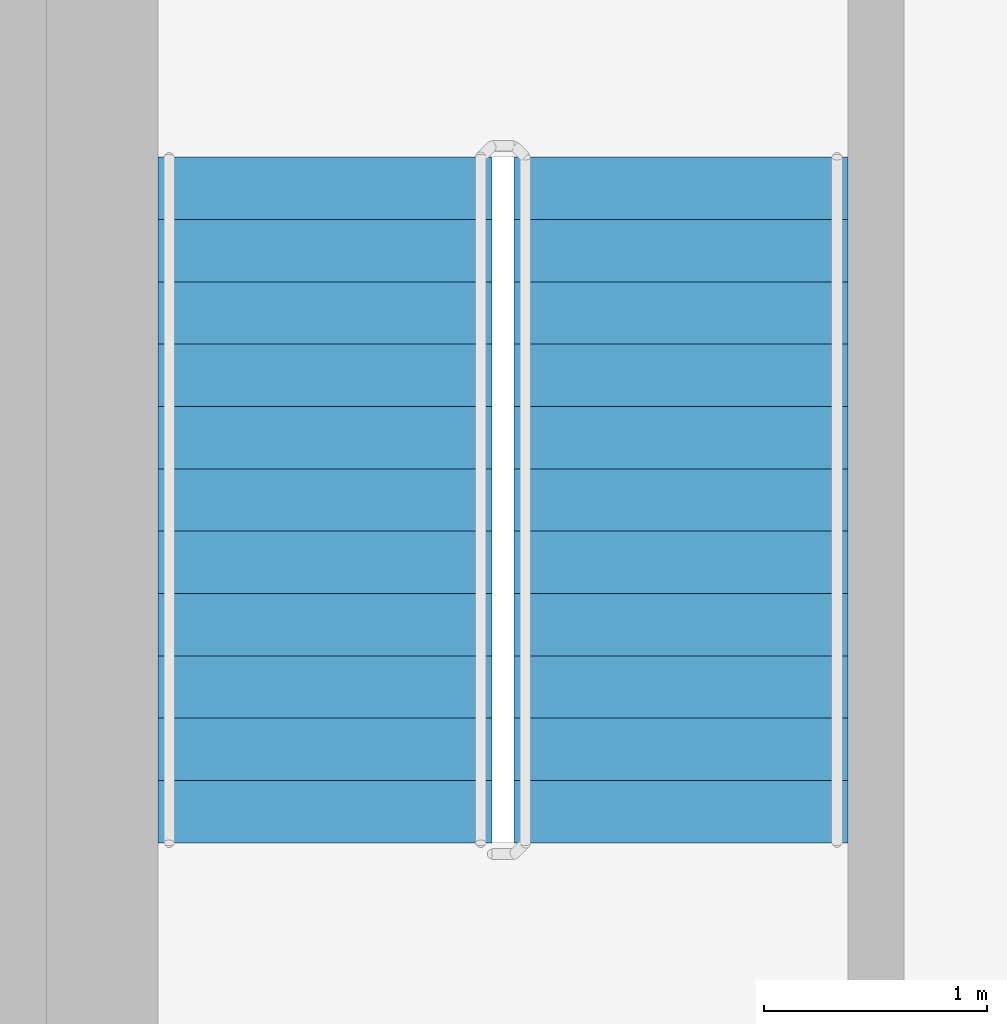
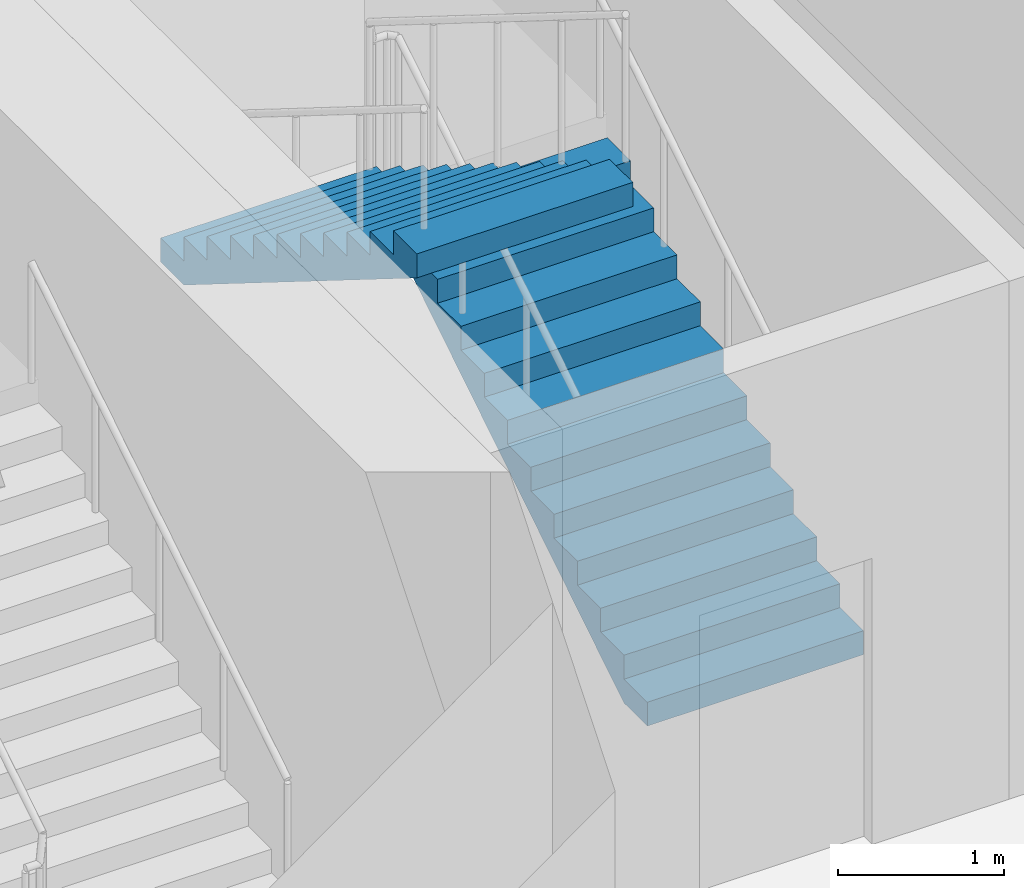
# One storey, part 6 of 9: 2 stair flights, 1 element without a shape of its own.
"""IFC4 building model written with IfcOpenShell, lengths in metres."""

from ifc_helpers import new_model, si_unit, direction, frame, origin, place, context, subcontext, project, spatial, triangles, source, transform, mapped, material, type_object, element, aggregate, save


model = new_model("IFC4")

# Units and contexts
model_context = context("Model", 3, precision=1e-05, world=origin(), true_north=direction((0.0, 1.0)))
body_context = subcontext(model_context, "Body", "Model", "MODEL_VIEW")
ifc_project = project(units=[si_unit("LENGTHUNIT", "METRE"), si_unit("AREAUNIT", "SQUARE_METRE"), si_unit("VOLUMEUNIT", "CUBIC_METRE"), si_unit("PLANEANGLEUNIT", "RADIAN"), si_unit("MASSUNIT", "GRAM", prefix="KILO")], contexts=[model_context])

# Site, building, storey
site_placement = place(None, origin())
site = spatial("IfcSite", under=ifc_project, at=site_placement, CompositionType="ELEMENT")
building_placement = place(site_placement, origin())
building = spatial("IfcBuilding", under=site, at=building_placement, Name="Kilnfold Tower and Market Hall", CompositionType="ELEMENT")
storey_placement = place(building_placement, frame((0.0, 0.0, 195.699951171875)))
storey = spatial("IfcBuildingStorey", under=building, at=storey_placement, Name="L47 Plant Transfer Level", CompositionType="ELEMENT", Elevation=195.699951171875)

# Stair, stair flights
ifc_material_1 = material(Name="Concrete C40/50", Category="concrete")
stair_type = type_object("IfcStairType", Name="CORE STAIR 1500", PredefinedType="HALF_TURN_STAIR", material=ifc_material_1)
stair_placement = place(storey_placement, origin())
stair = element("IfcStair", 1, at=stair_placement, inside=storey, type_object=stair_type, Name="L47 Plant Transfer Level ST5", PredefinedType="HALF_TURN_STAIR")
ifc_material_2 = material(Name="Concrete C40/50", Category="concrete")
stair_flight_type = type_object("IfcStairFlightType", Name="CORE STAIR FLIGHT 1500", PredefinedType="STRAIGHT", material=ifc_material_2)
shared_shape = source(origin(), body_context, "Body", "Tessellation", [
    triangles([(0.0, 0.75, 0.0), (0.0, 0.65625, 0.0), (0.0, 0.5625, 0.0), (0.0, 0.46875, 0.0), (0.0, 0.375, 0.0), (0.0, 0.28125, 0.0), (0.0, 0.1875, 0.0), (0.0, 0.09375, 0.0), (0.0, 0.0, 0.0), (0.0, -0.09375, 0.0), (0.0, -0.1875, 0.0), (0.0, -0.28125, 0.0), (0.0, -0.375, 0.0), (0.0, -0.46875, 0.0), (0.0, -0.5625, 0.0), (0.0, -0.65625, 0.0), (0.0, -0.75, 0.0), (0.0, 0.75, 0.175048828125), (0.0, 0.65625, 0.175048828125), (0.0, 0.5625, 0.175048828125), (0.0, 0.46875, 0.175048828125), (0.0, 0.375, 0.175048828125), (0.0, 0.28125, 0.175048828125), (0.0, 0.1875, 0.175048828125), (0.0, 0.09375, 0.175048828125), (0.0, 0.0, 0.175048828125), (0.0, -0.09375, 0.175048828125), (0.0, -0.1875, 0.175048828125), (0.0, -0.28125, 0.175048828125), (0.0, -0.375, 0.175048828125), (0.0, -0.46875, 0.175048828125), (0.0, -0.5625, 0.175048828125), (0.0, -0.65625, 0.175048828125), (0.0, -0.75, 0.175048828125), (0.280029296875, 0.75, 0.175048828125), (0.280029296875, 0.65625, 0.175048828125), (0.280029296875, 0.5625, 0.175048828125), (0.280029296875, 0.46875, 0.175048828125), (0.280029296875, 0.375, 0.175048828125), (0.280029296875, 0.28125, 0.175048828125), (0.280029296875, 0.1875, 0.175048828125), (0.280029296875, 0.09375, 0.175048828125), (0.280029296875, 0.0, 0.175048828125), (0.280029296875, -0.09375, 0.175048828125), (0.280029296875, -0.1875, 0.175048828125), (0.280029296875, -0.28125, 0.175048828125), (0.280029296875, -0.375, 0.175048828125), (0.280029296875, -0.46875, 0.175048828125), (0.280029296875, -0.5625, 0.175048828125), (0.280029296875, -0.65625, 0.175048828125), (0.280029296875, -0.75, 0.175048828125), (0.280029296875, 0.75, 0.35009765625), (0.280029296875, 0.65625, 0.35009765625), (0.280029296875, 0.5625, 0.35009765625), (0.280029296875, 0.46875, 0.35009765625), (0.280029296875, 0.375, 0.35009765625), (0.280029296875, 0.28125, 0.35009765625), (0.280029296875, 0.1875, 0.35009765625), (0.280029296875, 0.09375, 0.35009765625), (0.280029296875, 0.0, 0.35009765625), (0.280029296875, -0.09375, 0.35009765625), (0.280029296875, -0.1875, 0.35009765625), (0.280029296875, -0.28125, 0.35009765625), (0.280029296875, -0.375, 0.35009765625), (0.280029296875, -0.46875, 0.35009765625), (0.280029296875, -0.5625, 0.35009765625), (0.280029296875, -0.65625, 0.35009765625), (0.280029296875, -0.75, 0.35009765625), (0.56005859375, 0.75, 0.35009765625), (0.56005859375, 0.65625, 0.35009765625), (0.56005859375, 0.5625, 0.35009765625), (0.56005859375, 0.46875, 0.35009765625), (0.56005859375, 0.375, 0.35009765625), (0.56005859375, 0.28125, 0.35009765625), (0.56005859375, 0.1875, 0.35009765625), (0.56005859375, 0.09375, 0.35009765625), (0.56005859375, 0.0, 0.35009765625), (0.56005859375, -0.09375, 0.35009765625), (0.56005859375, -0.1875, 0.35009765625), (0.56005859375, -0.28125, 0.35009765625), (0.56005859375, -0.375, 0.35009765625), (0.56005859375, -0.46875, 0.35009765625), (0.56005859375, -0.5625, 0.35009765625), (0.56005859375, -0.65625, 0.35009765625), (0.56005859375, -0.75, 0.35009765625), (0.56005859375, 0.75, 0.52490234375), (0.56005859375, 0.65625, 0.52490234375), (0.56005859375, 0.5625, 0.52490234375), (0.56005859375, 0.46875, 0.52490234375), (0.56005859375, 0.375, 0.52490234375), (0.56005859375, 0.28125, 0.52490234375), (0.56005859375, 0.1875, 0.52490234375), (0.56005859375, 0.09375, 0.52490234375), (0.56005859375, 0.0, 0.52490234375), (0.56005859375, -0.09375, 0.52490234375), (0.56005859375, -0.1875, 0.52490234375), (0.56005859375, -0.28125, 0.52490234375), (0.56005859375, -0.375, 0.52490234375), (0.56005859375, -0.46875, 0.52490234375), (0.56005859375, -0.5625, 0.52490234375), (0.56005859375, -0.65625, 0.52490234375), (0.56005859375, -0.75, 0.52490234375), (0.840087890625, 0.75, 0.52490234375), (0.840087890625, 0.65625, 0.52490234375), (0.840087890625, 0.5625, 0.52490234375), (0.840087890625, 0.46875, 0.52490234375), (0.840087890625, 0.375, 0.52490234375), (0.840087890625, 0.28125, 0.52490234375), (0.840087890625, 0.1875, 0.52490234375), (0.840087890625, 0.09375, 0.52490234375), (0.840087890625, 0.0, 0.52490234375), (0.840087890625, -0.09375, 0.52490234375), (0.840087890625, -0.1875, 0.52490234375), (0.840087890625, -0.28125, 0.52490234375), (0.840087890625, -0.375, 0.52490234375), (0.840087890625, -0.46875, 0.52490234375), (0.840087890625, -0.5625, 0.52490234375), (0.840087890625, -0.65625, 0.52490234375), (0.840087890625, -0.75, 0.52490234375), (0.840087890625, 0.75, 0.699951171875), (0.840087890625, 0.65625, 0.699951171875), (0.840087890625, 0.5625, 0.699951171875), (0.840087890625, 0.46875, 0.699951171875), (0.840087890625, 0.375, 0.699951171875), (0.840087890625, 0.28125, 0.699951171875), (0.840087890625, 0.1875, 0.699951171875), (0.840087890625, 0.09375, 0.699951171875), (0.840087890625, 0.0, 0.699951171875), (0.840087890625, -0.09375, 0.699951171875), (0.840087890625, -0.1875, 0.699951171875), (0.840087890625, -0.28125, 0.699951171875), (0.840087890625, -0.375, 0.699951171875), (0.840087890625, -0.46875, 0.699951171875), (0.840087890625, -0.5625, 0.699951171875), (0.840087890625, -0.65625, 0.699951171875), (0.840087890625, -0.75, 0.699951171875), (1.1201171875, 0.75, 0.699951171875), (1.1201171875, 0.65625, 0.699951171875), (1.1201171875, 0.5625, 0.699951171875), (1.1201171875, 0.46875, 0.699951171875), (1.1201171875, 0.375, 0.699951171875), (1.1201171875, 0.28125, 0.699951171875), (1.1201171875, 0.1875, 0.699951171875), (1.1201171875, 0.09375, 0.699951171875), (1.1201171875, 0.0, 0.699951171875), (1.1201171875, -0.09375, 0.699951171875), (1.1201171875, -0.1875, 0.699951171875), (1.1201171875, -0.28125, 0.699951171875), (1.1201171875, -0.375, 0.699951171875), (1.1201171875, -0.46875, 0.699951171875), (1.1201171875, -0.5625, 0.699951171875), (1.1201171875, -0.65625, 0.699951171875), (1.1201171875, -0.75, 0.699951171875), (1.1201171875, 0.75, 0.875), (1.1201171875, 0.65625, 0.875), (1.1201171875, 0.5625, 0.875), (1.1201171875, 0.46875, 0.875), (1.1201171875, 0.375, 0.875), (1.1201171875, 0.28125, 0.875), (1.1201171875, 0.1875, 0.875), (1.1201171875, 0.09375, 0.875), (1.1201171875, 0.0, 0.875), (1.1201171875, -0.09375, 0.875), (1.1201171875, -0.1875, 0.875), (1.1201171875, -0.28125, 0.875), (1.1201171875, -0.375, 0.875), (1.1201171875, -0.46875, 0.875), (1.1201171875, -0.5625, 0.875), (1.1201171875, -0.65625, 0.875), (1.1201171875, -0.75, 0.875), (1.39990234375, 0.75, 0.875), (1.39990234375, 0.65625, 0.875), (1.39990234375, 0.5625, 0.875), (1.39990234375, 0.46875, 0.875), (1.39990234375, 0.375, 0.875), (1.39990234375, 0.28125, 0.875), (1.39990234375, 0.1875, 0.875), (1.39990234375, 0.09375, 0.875), (1.39990234375, 0.0, 0.875), (1.39990234375, -0.09375, 0.875), (1.39990234375, -0.1875, 0.875), (1.39990234375, -0.28125, 0.875), (1.39990234375, -0.375, 0.875), (1.39990234375, -0.46875, 0.875), (1.39990234375, -0.5625, 0.875), (1.39990234375, -0.65625, 0.875), (1.39990234375, -0.75, 0.875), (1.39990234375, 0.75, 1.050048828125), (1.39990234375, 0.65625, 1.050048828125), (1.39990234375, 0.5625, 1.050048828125), (1.39990234375, 0.46875, 1.050048828125), (1.39990234375, 0.375, 1.050048828125), (1.39990234375, 0.28125, 1.050048828125), (1.39990234375, 0.1875, 1.050048828125), (1.39990234375, 0.09375, 1.050048828125), (1.39990234375, 0.0, 1.050048828125), (1.39990234375, -0.09375, 1.050048828125), (1.39990234375, -0.1875, 1.050048828125), (1.39990234375, -0.28125, 1.050048828125), (1.39990234375, -0.375, 1.050048828125), (1.39990234375, -0.46875, 1.050048828125), (1.39990234375, -0.5625, 1.050048828125), (1.39990234375, -0.65625, 1.050048828125), (1.39990234375, -0.75, 1.050048828125), (1.679931640625, 0.75, 1.050048828125), (1.679931640625, 0.65625, 1.050048828125), (1.679931640625, 0.5625, 1.050048828125), (1.679931640625, 0.46875, 1.050048828125), (1.679931640625, 0.375, 1.050048828125), (1.679931640625, 0.28125, 1.050048828125), (1.679931640625, 0.1875, 1.050048828125), (1.679931640625, 0.09375, 1.050048828125), (1.679931640625, 0.0, 1.050048828125), (1.679931640625, -0.09375, 1.050048828125), (1.679931640625, -0.1875, 1.050048828125), (1.679931640625, -0.28125, 1.050048828125), (1.679931640625, -0.375, 1.050048828125), (1.679931640625, -0.46875, 1.050048828125), (1.679931640625, -0.5625, 1.050048828125), (1.679931640625, -0.65625, 1.050048828125), (1.679931640625, -0.75, 1.050048828125), (1.679931640625, 0.75, 1.22509765625), (1.679931640625, 0.65625, 1.22509765625), (1.679931640625, 0.5625, 1.22509765625), (1.679931640625, 0.46875, 1.22509765625), (1.679931640625, 0.375, 1.22509765625), (1.679931640625, 0.28125, 1.22509765625), (1.679931640625, 0.1875, 1.22509765625), (1.679931640625, 0.09375, 1.22509765625), (1.679931640625, 0.0, 1.22509765625), (1.679931640625, -0.09375, 1.22509765625), (1.679931640625, -0.1875, 1.22509765625), (1.679931640625, -0.28125, 1.22509765625), (1.679931640625, -0.375, 1.22509765625), (1.679931640625, -0.46875, 1.22509765625), (1.679931640625, -0.5625, 1.22509765625), (1.679931640625, -0.65625, 1.22509765625), (1.679931640625, -0.75, 1.22509765625), (1.9599609375, 0.75, 1.22509765625), (1.9599609375, 0.65625, 1.22509765625), (1.9599609375, 0.5625, 1.22509765625), (1.9599609375, 0.46875, 1.22509765625), (1.9599609375, 0.375, 1.22509765625), (1.9599609375, 0.28125, 1.22509765625), (1.9599609375, 0.1875, 1.22509765625), (1.9599609375, 0.09375, 1.22509765625), (1.9599609375, 0.0, 1.22509765625), (1.9599609375, -0.09375, 1.22509765625), (1.9599609375, -0.1875, 1.22509765625), (1.9599609375, -0.28125, 1.22509765625), (1.9599609375, -0.375, 1.22509765625), (1.9599609375, -0.46875, 1.22509765625), (1.9599609375, -0.5625, 1.22509765625), (1.9599609375, -0.65625, 1.22509765625), (1.9599609375, -0.75, 1.22509765625), (1.9599609375, 0.75, 1.39990234375), (1.9599609375, 0.65625, 1.39990234375), (1.9599609375, 0.5625, 1.39990234375), (1.9599609375, 0.46875, 1.39990234375), (1.9599609375, 0.375, 1.39990234375), (1.9599609375, 0.28125, 1.39990234375), (1.9599609375, 0.1875, 1.39990234375), (1.9599609375, 0.09375, 1.39990234375), (1.9599609375, 0.0, 1.39990234375), (1.9599609375, -0.09375, 1.39990234375), (1.9599609375, -0.1875, 1.39990234375), (1.9599609375, -0.28125, 1.39990234375), (1.9599609375, -0.375, 1.39990234375), (1.9599609375, -0.46875, 1.39990234375), (1.9599609375, -0.5625, 1.39990234375), (1.9599609375, -0.65625, 1.39990234375), (1.9599609375, -0.75, 1.39990234375), (2.239990234375, 0.75, 1.39990234375), (2.239990234375, 0.65625, 1.39990234375), (2.239990234375, 0.5625, 1.39990234375), (2.239990234375, 0.46875, 1.39990234375), (2.239990234375, 0.375, 1.39990234375), (2.239990234375, 0.28125, 1.39990234375), (2.239990234375, 0.1875, 1.39990234375), (2.239990234375, 0.09375, 1.39990234375), (2.239990234375, 0.0, 1.39990234375), (2.239990234375, -0.09375, 1.39990234375), (2.239990234375, -0.1875, 1.39990234375), (2.239990234375, -0.28125, 1.39990234375), (2.239990234375, -0.375, 1.39990234375), (2.239990234375, -0.46875, 1.39990234375), (2.239990234375, -0.5625, 1.39990234375), (2.239990234375, -0.65625, 1.39990234375), (2.239990234375, -0.75, 1.39990234375), (2.239990234375, 0.75, 1.574951171875), (2.239990234375, 0.65625, 1.574951171875), (2.239990234375, 0.5625, 1.574951171875), (2.239990234375, 0.46875, 1.574951171875), (2.239990234375, 0.375, 1.574951171875), (2.239990234375, 0.28125, 1.574951171875), (2.239990234375, 0.1875, 1.574951171875), (2.239990234375, 0.09375, 1.574951171875), (2.239990234375, 0.0, 1.574951171875), (2.239990234375, -0.09375, 1.574951171875), (2.239990234375, -0.1875, 1.574951171875), (2.239990234375, -0.28125, 1.574951171875), (2.239990234375, -0.375, 1.574951171875), (2.239990234375, -0.46875, 1.574951171875), (2.239990234375, -0.5625, 1.574951171875), (2.239990234375, -0.65625, 1.574951171875), (2.239990234375, -0.75, 1.574951171875), (2.52001953125, 0.75, 1.574951171875), (2.52001953125, 0.65625, 1.574951171875), (2.52001953125, 0.5625, 1.574951171875), (2.52001953125, 0.46875, 1.574951171875), (2.52001953125, 0.375, 1.574951171875), (2.52001953125, 0.28125, 1.574951171875), (2.52001953125, 0.1875, 1.574951171875), (2.52001953125, 0.09375, 1.574951171875), (2.52001953125, 0.0, 1.574951171875), (2.52001953125, -0.09375, 1.574951171875), (2.52001953125, -0.1875, 1.574951171875), (2.52001953125, -0.28125, 1.574951171875), (2.52001953125, -0.375, 1.574951171875), (2.52001953125, -0.46875, 1.574951171875), (2.52001953125, -0.5625, 1.574951171875), (2.52001953125, -0.65625, 1.574951171875), (2.52001953125, -0.75, 1.574951171875), (2.52001953125, 0.75, 1.75), (2.52001953125, 0.65625, 1.75), (2.52001953125, 0.5625, 1.75), (2.52001953125, 0.46875, 1.75), (2.52001953125, 0.375, 1.75), (2.52001953125, 0.28125, 1.75), (2.52001953125, 0.1875, 1.75), (2.52001953125, 0.09375, 1.75), (2.52001953125, 0.0, 1.75), (2.52001953125, -0.09375, 1.75), (2.52001953125, -0.1875, 1.75), (2.52001953125, -0.28125, 1.75), (2.52001953125, -0.375, 1.75), (2.52001953125, -0.46875, 1.75), (2.52001953125, -0.5625, 1.75), (2.52001953125, -0.65625, 1.75), (2.52001953125, -0.75, 1.75), (2.800048828125, 0.75, 1.75), (2.800048828125, 0.65625, 1.75), (2.800048828125, 0.5625, 1.75), (2.800048828125, 0.46875, 1.75), (2.800048828125, 0.375, 1.75), (2.800048828125, 0.28125, 1.75), (2.800048828125, 0.1875, 1.75), (2.800048828125, 0.09375, 1.75), (2.800048828125, 0.0, 1.75), (2.800048828125, -0.09375, 1.75), (2.800048828125, -0.1875, 1.75), (2.800048828125, -0.28125, 1.75), (2.800048828125, -0.375, 1.75), (2.800048828125, -0.46875, 1.75), (2.800048828125, -0.5625, 1.75), (2.800048828125, -0.65625, 1.75), (2.800048828125, -0.75, 1.75), (2.800048828125, 0.75, 1.925048828125), (2.800048828125, 0.65625, 1.925048828125), (2.800048828125, 0.5625, 1.925048828125), (2.800048828125, 0.46875, 1.925048828125), (2.800048828125, 0.375, 1.925048828125), (2.800048828125, 0.28125, 1.925048828125), (2.800048828125, 0.1875, 1.925048828125), (2.800048828125, 0.09375, 1.925048828125), (2.800048828125, 0.0, 1.925048828125), (2.800048828125, -0.09375, 1.925048828125), (2.800048828125, -0.1875, 1.925048828125), (2.800048828125, -0.28125, 1.925048828125), (2.800048828125, -0.375, 1.925048828125), (2.800048828125, -0.46875, 1.925048828125), (2.800048828125, -0.5625, 1.925048828125), (2.800048828125, -0.65625, 1.925048828125), (2.800048828125, -0.75, 1.925048828125), (3.080078125, 0.75, 1.925048828125), (3.080078125, 0.65625, 1.925048828125), (3.080078125, 0.5625, 1.925048828125), (3.080078125, 0.46875, 1.925048828125), (3.080078125, 0.375, 1.925048828125), (3.080078125, 0.28125, 1.925048828125), (3.080078125, 0.1875, 1.925048828125), (3.080078125, 0.09375, 1.925048828125), (3.080078125, 0.0, 1.925048828125), (3.080078125, -0.09375, 1.925048828125), (3.080078125, -0.1875, 1.925048828125), (3.080078125, -0.28125, 1.925048828125), (3.080078125, -0.375, 1.925048828125), (3.080078125, -0.46875, 1.925048828125), (3.080078125, -0.5625, 1.925048828125), (3.080078125, -0.65625, 1.925048828125), (3.080078125, -0.75, 1.925048828125), (3.080078125, 0.75, 1.748291015625), (3.080078125, 0.65625, 1.748291015625), (3.080078125, 0.5625, 1.748291015625), (3.080078125, 0.46875, 1.748291015625), (3.080078125, 0.375, 1.748291015625), (3.080078125, 0.28125, 1.748291015625), (3.080078125, 0.1875, 1.748291015625), (3.080078125, 0.09375, 1.748291015625), (3.080078125, 0.0, 1.748291015625), (3.080078125, -0.09375, 1.748291015625), (3.080078125, -0.1875, 1.748291015625), (3.080078125, -0.28125, 1.748291015625), (3.080078125, -0.375, 1.748291015625), (3.080078125, -0.46875, 1.748291015625), (3.080078125, -0.5625, 1.748291015625), (3.080078125, -0.65625, 1.748291015625), (3.080078125, -0.75, 1.748291015625), (0.28271484375, 0.75, 0.0), (0.28271484375, 0.65625, 0.0), (0.28271484375, 0.5625, 0.0), (0.28271484375, 0.46875, 0.0), (0.28271484375, 0.375, 0.0), (0.28271484375, 0.28125, 0.0), (0.28271484375, 0.1875, 0.0), (0.28271484375, 0.09375, 0.0), (0.28271484375, 0.0, 0.0), (0.28271484375, -0.09375, 0.0), (0.28271484375, -0.1875, 0.0), (0.28271484375, -0.28125, 0.0), (0.28271484375, -0.375, 0.0), (0.28271484375, -0.46875, 0.0), (0.28271484375, -0.5625, 0.0), (0.28271484375, -0.65625, 0.0), (0.28271484375, -0.75, 0.0)], [[1, 392, 409], [17, 425, 408], [392, 358, 375], [408, 391, 374], [392, 341, 358], [408, 374, 357], [392, 324, 341], [408, 357, 340], [392, 307, 324], [408, 340, 323], [307, 273, 290], [323, 306, 289], [392, 273, 307], [408, 323, 289], [273, 239, 256], [289, 272, 255], [392, 239, 273], [408, 289, 255], [239, 205, 222], [255, 238, 221], [392, 205, 239], [408, 255, 221], [205, 171, 188], [221, 204, 187], [392, 171, 205], [408, 221, 187], [171, 137, 154], [187, 170, 153], [392, 137, 171], [408, 187, 153], [137, 103, 120], [153, 136, 119], [392, 103, 137], [408, 153, 119], [1, 103, 392], [17, 408, 119], [103, 69, 86], [119, 102, 85], [69, 35, 52], [85, 68, 51], [103, 35, 69], [119, 85, 51], [1, 35, 103], [17, 119, 51], [35, 1, 18], [51, 34, 17], [1, 19, 18], [1, 2, 19], [2, 20, 19], [2, 3, 20], [3, 21, 20], [3, 4, 21], [4, 22, 21], [4, 5, 22], [5, 23, 22], [5, 6, 23], [6, 24, 23], [6, 7, 24], [7, 25, 24], [7, 8, 25], [8, 26, 25], [8, 9, 26], [9, 27, 26], [9, 10, 27], [10, 28, 27], [10, 11, 28], [11, 29, 28], [11, 12, 29], [12, 30, 29], [12, 13, 30], [13, 31, 30], [13, 14, 31], [14, 32, 31], [14, 15, 32], [15, 33, 32], [15, 16, 33], [16, 34, 33], [16, 17, 34], [18, 36, 35], [18, 19, 36], [19, 37, 36], [19, 20, 37], [20, 38, 37], [20, 21, 38], [21, 39, 38], [21, 22, 39], [22, 40, 39], [22, 23, 40], [23, 41, 40], [23, 24, 41], [24, 42, 41], [24, 25, 42], [25, 43, 42], [25, 26, 43], [26, 44, 43], [26, 27, 44], [27, 45, 44], [27, 28, 45], [28, 46, 45], [28, 29, 46], [29, 47, 46], [29, 30, 47], [30, 48, 47], [30, 31, 48], [31, 49, 48], [31, 32, 49], [32, 50, 49], [32, 33, 50], [33, 51, 50], [33, 34, 51], [35, 53, 52], [35, 36, 53], [36, 54, 53], [36, 37, 54], [37, 55, 54], [37, 38, 55], [38, 56, 55], [38, 39, 56], [39, 57, 56], [39, 40, 57], [40, 58, 57], [40, 41, 58], [41, 59, 58], [41, 42, 59], [42, 60, 59], [42, 43, 60], [43, 61, 60], [43, 44, 61], [44, 62, 61], [44, 45, 62], [45, 63, 62], [45, 46, 63], [46, 64, 63], [46, 47, 64], [47, 65, 64], [47, 48, 65], [48, 66, 65], [48, 49, 66], [49, 67, 66], [49, 50, 67], [50, 68, 67], [50, 51, 68], [52, 70, 69], [52, 53, 70], [53, 71, 70], [53, 54, 71], [54, 72, 71], [54, 55, 72], [55, 73, 72], [55, 56, 73], [56, 74, 73], [56, 57, 74], [57, 75, 74], [57, 58, 75], [58, 76, 75], [58, 59, 76], [59, 77, 76], [59, 60, 77], [60, 78, 77], [60, 61, 78], [61, 79, 78], [61, 62, 79], [62, 80, 79], [62, 63, 80], [63, 81, 80], [63, 64, 81], [64, 82, 81], [64, 65, 82], [65, 83, 82], [65, 66, 83], [66, 84, 83], [66, 67, 84], [67, 85, 84], [67, 68, 85], [69, 87, 86], [69, 70, 87], [70, 88, 87], [70, 71, 88], [71, 89, 88], [71, 72, 89], [72, 90, 89], [72, 73, 90], [73, 91, 90], [73, 74, 91], [74, 92, 91], [74, 75, 92], [75, 93, 92], [75, 76, 93], [76, 94, 93], [76, 77, 94], [77, 95, 94], [77, 78, 95], [78, 96, 95], [78, 79, 96], [79, 97, 96], [79, 80, 97], [80, 98, 97], [80, 81, 98], [81, 99, 98], [81, 82, 99], [82, 100, 99], [82, 83, 100], [83, 101, 100], [83, 84, 101], [84, 102, 101], [84, 85, 102], [86, 104, 103], [86, 87, 104], [87, 105, 104], [87, 88, 105], [88, 106, 105], [88, 89, 106], [89, 107, 106], [89, 90, 107], [90, 108, 107], [90, 91, 108], [91, 109, 108], [91, 92, 109], [92, 110, 109], [92, 93, 110], [93, 111, 110], [93, 94, 111], [94, 112, 111], [94, 95, 112], [95, 113, 112], [95, 96, 113], [96, 114, 113], [96, 97, 114], [97, 115, 114], [97, 98, 115], [98, 116, 115], [98, 99, 116], [99, 117, 116], [99, 100, 117], [100, 118, 117], [100, 101, 118], [101, 119, 118], [101, 102, 119], [103, 121, 120], [103, 104, 121], [104, 122, 121], [104, 105, 122], [105, 123, 122], [105, 106, 123], [106, 124, 123], [106, 107, 124], [107, 125, 124], [107, 108, 125], [108, 126, 125], [108, 109, 126], [109, 127, 126], [109, 110, 127], [110, 128, 127], [110, 111, 128], [111, 129, 128], [111, 112, 129], [112, 130, 129], [112, 113, 130], [113, 131, 130], [113, 114, 131], [114, 132, 131], [114, 115, 132], [115, 133, 132], [115, 116, 133], [116, 134, 133], [116, 117, 134], [117, 135, 134], [117, 118, 135], [118, 136, 135], [118, 119, 136], [120, 138, 137], [120, 121, 138], [121, 139, 138], [121, 122, 139], [122, 140, 139], [122, 123, 140], [123, 141, 140], [123, 124, 141], [124, 142, 141], [124, 125, 142], [125, 143, 142], [125, 126, 143], [126, 144, 143], [126, 127, 144], [127, 145, 144], [127, 128, 145], [128, 146, 145], [128, 129, 146], [129, 147, 146], [129, 130, 147], [130, 148, 147], [130, 131, 148], [131, 149, 148], [131, 132, 149], [132, 150, 149], [132, 133, 150], [133, 151, 150], [133, 134, 151], [134, 152, 151], [134, 135, 152], [135, 153, 152], [135, 136, 153], [137, 155, 154], [137, 138, 155], [138, 156, 155], [138, 139, 156], [139, 157, 156], [139, 140, 157], [140, 158, 157], [140, 141, 158], [141, 159, 158], [141, 142, 159], [142, 160, 159], [142, 143, 160], [143, 161, 160], [143, 144, 161], [144, 162, 161], [144, 145, 162], [145, 163, 162], [145, 146, 163], [146, 164, 163], [146, 147, 164], [147, 165, 164], [147, 148, 165], [148, 166, 165], [148, 149, 166], [149, 167, 166], [149, 150, 167], [150, 168, 167], [150, 151, 168], [151, 169, 168], [151, 152, 169], [152, 170, 169], [152, 153, 170], [154, 172, 171], [154, 155, 172], [155, 173, 172], [155, 156, 173], [156, 174, 173], [156, 157, 174], [157, 175, 174], [157, 158, 175], [158, 176, 175], [158, 159, 176], [159, 177, 176], [159, 160, 177], [160, 178, 177], [160, 161, 178], [161, 179, 178], [161, 162, 179], [162, 180, 179], [162, 163, 180], [163, 181, 180], [163, 164, 181], [164, 182, 181], [164, 165, 182], [165, 183, 182], [165, 166, 183], [166, 184, 183], [166, 167, 184], [167, 185, 184], [167, 168, 185], [168, 186, 185], [168, 169, 186], [169, 187, 186], [169, 170, 187], [171, 189, 188], [171, 172, 189], [172, 190, 189], [172, 173, 190], [173, 191, 190], [173, 174, 191], [174, 192, 191], [174, 175, 192], [175, 193, 192], [175, 176, 193], [176, 194, 193], [176, 177, 194], [177, 195, 194], [177, 178, 195], [178, 196, 195], [178, 179, 196], [179, 197, 196], [179, 180, 197], [180, 198, 197], [180, 181, 198], [181, 199, 198], [181, 182, 199], [182, 200, 199], [182, 183, 200], [183, 201, 200], [183, 184, 201], [184, 202, 201], [184, 185, 202], [185, 203, 202], [185, 186, 203], [186, 204, 203], [186, 187, 204], [188, 206, 205], [188, 189, 206], [189, 207, 206], [189, 190, 207], [190, 208, 207], [190, 191, 208], [191, 209, 208], [191, 192, 209], [192, 210, 209], [192, 193, 210], [193, 211, 210], [193, 194, 211], [194, 212, 211], [194, 195, 212], [195, 213, 212], [195, 196, 213], [196, 214, 213], [196, 197, 214], [197, 215, 214], [197, 198, 215], [198, 216, 215], [198, 199, 216], [199, 217, 216], [199, 200, 217], [200, 218, 217], [200, 201, 218], [201, 219, 218], [201, 202, 219], [202, 220, 219], [202, 203, 220], [203, 221, 220], [203, 204, 221], [205, 223, 222], [205, 206, 223], [206, 224, 223], [206, 207, 224], [207, 225, 224], [207, 208, 225], [208, 226, 225], [208, 209, 226], [209, 227, 226], [209, 210, 227], [210, 228, 227], [210, 211, 228], [211, 229, 228], [211, 212, 229], [212, 230, 229], [212, 213, 230], [213, 231, 230], [213, 214, 231], [214, 232, 231], [214, 215, 232], [215, 233, 232], [215, 216, 233], [216, 234, 233], [216, 217, 234], [217, 235, 234], [217, 218, 235], [218, 236, 235], [218, 219, 236], [219, 237, 236], [219, 220, 237], [220, 238, 237], [220, 221, 238], [222, 240, 239], [222, 223, 240], [223, 241, 240], [223, 224, 241], [224, 242, 241], [224, 225, 242], [225, 243, 242], [225, 226, 243], [226, 244, 243], [226, 227, 244], [227, 245, 244], [227, 228, 245], [228, 246, 245], [228, 229, 246], [229, 247, 246], [229, 230, 247], [230, 248, 247], [230, 231, 248], [231, 249, 248], [231, 232, 249], [232, 250, 249], [232, 233, 250], [233, 251, 250], [233, 234, 251], [234, 252, 251], [234, 235, 252], [235, 253, 252], [235, 236, 253], [236, 254, 253], [236, 237, 254], [237, 255, 254], [237, 238, 255], [239, 257, 256], [239, 240, 257], [240, 258, 257], [240, 241, 258], [241, 259, 258], [241, 242, 259], [242, 260, 259], [242, 243, 260], [243, 261, 260], [243, 244, 261], [244, 262, 261], [244, 245, 262], [245, 263, 262], [245, 246, 263], [246, 264, 263], [246, 247, 264], [247, 265, 264], [247, 248, 265], [248, 266, 265], [248, 249, 266], [249, 267, 266], [249, 250, 267], [250, 268, 267], [250, 251, 268], [251, 269, 268], [251, 252, 269], [252, 270, 269], [252, 253, 270], [253, 271, 270], [253, 254, 271], [254, 272, 271], [254, 255, 272], [256, 274, 273], [256, 257, 274], [257, 275, 274], [257, 258, 275], [258, 276, 275], [258, 259, 276], [259, 277, 276], [259, 260, 277], [260, 278, 277], [260, 261, 278], [261, 279, 278], [261, 262, 279], [262, 280, 279], [262, 263, 280], [263, 281, 280], [263, 264, 281], [264, 282, 281], [264, 265, 282], [265, 283, 282], [265, 266, 283], [266, 284, 283], [266, 267, 284], [267, 285, 284], [267, 268, 285], [268, 286, 285], [268, 269, 286], [269, 287, 286], [269, 270, 287], [270, 288, 287], [270, 271, 288], [271, 289, 288], [271, 272, 289], [273, 291, 290], [273, 274, 291], [274, 292, 291], [274, 275, 292], [275, 293, 292], [275, 276, 293], [276, 294, 293], [276, 277, 294], [277, 295, 294], [277, 278, 295], [278, 296, 295], [278, 279, 296], [279, 297, 296], [279, 280, 297], [280, 298, 297], [280, 281, 298], [281, 299, 298], [281, 282, 299], [282, 300, 299], [282, 283, 300], [283, 301, 300], [283, 284, 301], [284, 302, 301], [284, 285, 302], [285, 303, 302], [285, 286, 303], [286, 304, 303], [286, 287, 304], [287, 305, 304], [287, 288, 305], [288, 306, 305], [288, 289, 306], [290, 308, 307], [290, 291, 308], [291, 309, 308], [291, 292, 309], [292, 310, 309], [292, 293, 310], [293, 311, 310], [293, 294, 311], [294, 312, 311], [294, 295, 312], [295, 313, 312], [295, 296, 313], [296, 314, 313], [296, 297, 314], [297, 315, 314], [297, 298, 315], [298, 316, 315], [298, 299, 316], [299, 317, 316], [299, 300, 317], [300, 318, 317], [300, 301, 318], [301, 319, 318], [301, 302, 319], [302, 320, 319], [302, 303, 320], [303, 321, 320], [303, 304, 321], [304, 322, 321], [304, 305, 322], [305, 323, 322], [305, 306, 323], [307, 325, 324], [307, 308, 325], [308, 326, 325], [308, 309, 326], [309, 327, 326], [309, 310, 327], [310, 328, 327], [310, 311, 328], [311, 329, 328], [311, 312, 329], [312, 330, 329], [312, 313, 330], [313, 331, 330], [313, 314, 331], [314, 332, 331], [314, 315, 332], [315, 333, 332], [315, 316, 333], [316, 334, 333], [316, 317, 334], [317, 335, 334], [317, 318, 335], [318, 336, 335], [318, 319, 336], [319, 337, 336], [319, 320, 337], [320, 338, 337], [320, 321, 338], [321, 339, 338], [321, 322, 339], [322, 340, 339], [322, 323, 340], [324, 342, 341], [324, 325, 342], [325, 343, 342], [325, 326, 343], [326, 344, 343], [326, 327, 344], [327, 345, 344], [327, 328, 345], [328, 346, 345], [328, 329, 346], [329, 347, 346], [329, 330, 347], [330, 348, 347], [330, 331, 348], [331, 349, 348], [331, 332, 349], [332, 350, 349], [332, 333, 350], [333, 351, 350], [333, 334, 351], [334, 352, 351], [334, 335, 352], [335, 353, 352], [335, 336, 353], [336, 354, 353], [336, 337, 354], [337, 355, 354], [337, 338, 355], [338, 356, 355], [338, 339, 356], [339, 357, 356], [339, 340, 357], [341, 359, 358], [341, 342, 359], [342, 360, 359], [342, 343, 360], [343, 361, 360], [343, 344, 361], [344, 362, 361], [344, 345, 362], [345, 363, 362], [345, 346, 363], [346, 364, 363], [346, 347, 364], [347, 365, 364], [347, 348, 365], [348, 366, 365], [348, 349, 366], [349, 367, 366], [349, 350, 367], [350, 368, 367], [350, 351, 368], [351, 369, 368], [351, 352, 369], [352, 370, 369], [352, 353, 370], [353, 371, 370], [353, 354, 371], [354, 372, 371], [354, 355, 372], [355, 373, 372], [355, 356, 373], [356, 374, 373], [356, 357, 374], [358, 376, 375], [358, 359, 376], [359, 377, 376], [359, 360, 377], [360, 378, 377], [360, 361, 378], [361, 379, 378], [361, 362, 379], [362, 380, 379], [362, 363, 380], [363, 381, 380], [363, 364, 381], [364, 382, 381], [364, 365, 382], [365, 383, 382], [365, 366, 383], [366, 384, 383], [366, 367, 384], [367, 385, 384], [367, 368, 385], [368, 386, 385], [368, 369, 386], [369, 387, 386], [369, 370, 387], [370, 388, 387], [370, 371, 388], [371, 389, 388], [371, 372, 389], [372, 390, 389], [372, 373, 390], [373, 391, 390], [373, 374, 391], [375, 393, 392], [375, 376, 393], [376, 394, 393], [376, 377, 394], [377, 395, 394], [377, 378, 395], [378, 396, 395], [378, 379, 396], [379, 397, 396], [379, 380, 397], [380, 398, 397], [380, 381, 398], [381, 399, 398], [381, 382, 399], [382, 400, 399], [382, 383, 400], [383, 401, 400], [383, 384, 401], [384, 402, 401], [384, 385, 402], [385, 403, 402], [385, 386, 403], [386, 404, 403], [386, 387, 404], [387, 405, 404], [387, 388, 405], [388, 406, 405], [388, 389, 406], [389, 407, 406], [389, 390, 407], [390, 408, 407], [390, 391, 408], [392, 410, 409], [392, 393, 410], [393, 411, 410], [393, 394, 411], [394, 412, 411], [394, 395, 412], [395, 413, 412], [395, 396, 413], [396, 414, 413], [396, 397, 414], [397, 415, 414], [397, 398, 415], [398, 416, 415], [398, 399, 416], [399, 417, 416], [399, 400, 417], [400, 418, 417], [400, 401, 418], [401, 419, 418], [401, 402, 419], [402, 420, 419], [402, 403, 420], [403, 421, 420], [403, 404, 421], [404, 422, 421], [404, 405, 422], [405, 423, 422], [405, 406, 423], [406, 424, 423], [406, 407, 424], [407, 425, 424], [407, 408, 425], [409, 2, 1], [409, 410, 2], [410, 3, 2], [410, 411, 3], [411, 4, 3], [411, 412, 4], [412, 5, 4], [412, 413, 5], [413, 6, 5], [413, 414, 6], [414, 7, 6], [414, 415, 7], [415, 8, 7], [415, 416, 8], [416, 9, 8], [416, 417, 9], [417, 10, 9], [417, 418, 10], [418, 11, 10], [418, 419, 11], [419, 12, 11], [419, 420, 12], [420, 13, 12], [420, 421, 13], [421, 14, 13], [421, 422, 14], [422, 15, 14], [422, 423, 15], [423, 16, 15], [423, 424, 16], [424, 17, 16], [424, 425, 17]], closed=True),
])
stair_flight_1_placement = place(storey_placement, frame((20.699951171875, 11.5, 0.0), z_axis=(0.0, 0.0, 1.0), x_axis=(0.0, 1.0, 0.0)))
stair_flight_1 = element("IfcStairFlight", 2, at=stair_flight_1_placement, type_object=stair_flight_type, Name="ST5 flight 1", NumberOfRisers=12, NumberOfTreads=11, PredefinedType="STRAIGHT", RiserHeight=0.175, TreadLength=0.28, context=body_context, shape_type="MappedRepresentation", body=[
    mapped(shared_shape, transform((0.0, 0.0, 0.0))),
])
stair_flight_2_placement = place(storey_placement, frame((19.10009765625, 14.580078125, 2.10009765625), z_axis=(0.0, 0.0, 1.0), x_axis=(0.0, -1.0, 0.0)))
stair_flight_2 = element("IfcStairFlight", 3, at=stair_flight_2_placement, type_object=stair_flight_type, Name="ST5 flight 2", NumberOfRisers=12, NumberOfTreads=11, PredefinedType="STRAIGHT", RiserHeight=0.175, TreadLength=0.28, context=body_context, shape_type="MappedRepresentation", body=[
    mapped(shared_shape, transform((0.0, 0.0, 0.0))),
])
aggregate(stair, [stair_flight_1, stair_flight_2])

save(model, "model.ifc")
